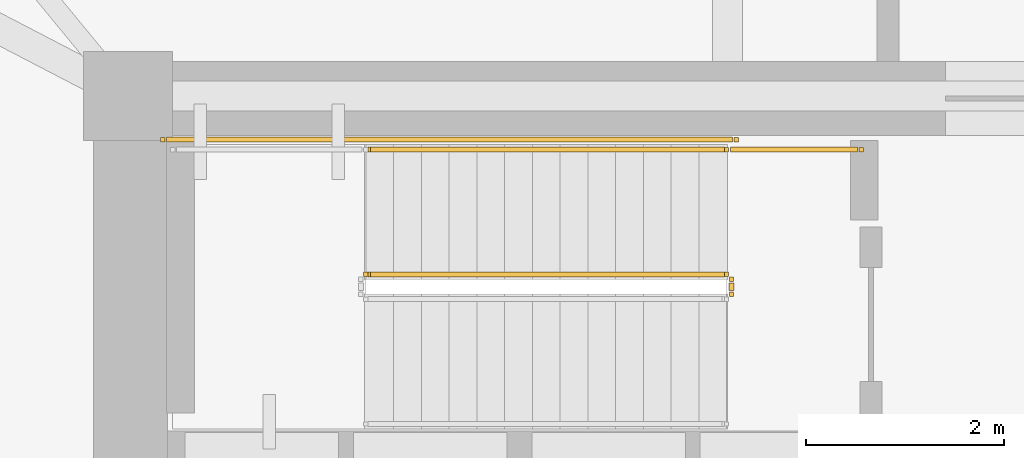
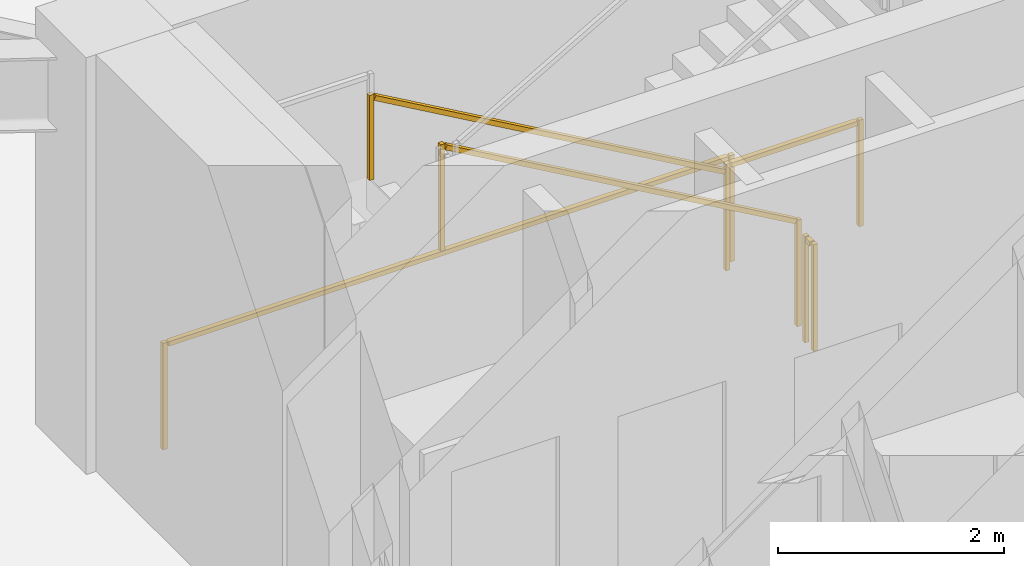
# One storey, part 16 of 18: 5 railings.
"""IFC4 building model written with IfcOpenShell, lengths in metres."""

from ifc_helpers import new_model, si_unit, direction, frame, origin, origin_2d, place, context, subcontext, project, spatial, rectangle, extrude, material, type_object, element, save


model = new_model("IFC4")

# Units and contexts
model_context = context("Model", 3, precision=1e-05, world=origin(), true_north=direction((0.0, 1.0)))
body_context = subcontext(model_context, "Body", "Model", "MODEL_VIEW")
ifc_project = project(units=[si_unit("LENGTHUNIT", "METRE"), si_unit("AREAUNIT", "SQUARE_METRE"), si_unit("VOLUMEUNIT", "CUBIC_METRE"), si_unit("PLANEANGLEUNIT", "RADIAN"), si_unit("MASSUNIT", "GRAM", prefix="KILO")], contexts=[model_context])

# Site, building, storey
site_placement = place(None, origin())
site = spatial("IfcSite", under=ifc_project, at=site_placement, CompositionType="ELEMENT")
building_placement = place(site_placement, origin())
building = spatial("IfcBuilding", under=site, at=building_placement, Name="Yunling Apex Tower", CompositionType="ELEMENT")
storey_placement = place(building_placement, origin())
storey = spatial("IfcBuildingStorey", under=building, at=storey_placement, Name="L01", CompositionType="ELEMENT", Elevation=0.0)

# Railings
ifc_material_1 = material(Name="Steel Q355B", Category="steel")
railing_type_1 = type_object("IfcRailingType", Name="RL-GRD-1150", PredefinedType="GUARDRAIL", material=ifc_material_1)
railing_1_placement = place(storey_placement, frame((-0.010009765625, 3.699951171875, 0.16064453125)))
element("IfcRailing", 1, at=railing_1_placement, inside=storey, type_object=railing_type_1, Name="L01 ST-1 stair guard 1", PredefinedType="GUARDRAIL", context=body_context, shape_type="SweptSolid", body=[
    extrude(rectangle(XDim=0.0439453125, YDim=0.0439453125, at=origin_2d()), origin(), (0.0, 0.0, 1.0), 1.14990234375),
    extrude(rectangle(XDim=0.0439453125, YDim=0.0439453125, at=origin_2d()), frame((-3.639892578125, 0.0, 2.08935546875)), (0.0, 0.0, 1.0), 1.14990234375),
    extrude(rectangle(XDim=0.050048828125, YDim=0.050048828125, at=origin_2d()), frame((-0.033203125, 0.0, 1.14404296875), z_axis=(-0.8672749571, 0.0, 0.497829437445), x_axis=(0.0, -1.0, 0.0)), (0.0, 0.0, 1.0), 4.120361328125),
])
railing_2_placement = place(storey_placement, frame((0.0400390625, 3.64990234375, 0.0)))
element("IfcRailing", 2, at=railing_2_placement, inside=storey, type_object=railing_type_1, Name="L01 ST-1 stair guard 5", PredefinedType="GUARDRAIL", context=body_context, shape_type="SweptSolid", body=[
    extrude(rectangle(XDim=0.0439453125, YDim=0.0439453125, at=origin_2d()), origin(), (0.0, 0.0, 1.0), 1.14990234375),
    extrude(rectangle(XDim=0.0439453125, YDim=0.0439453125, at=origin_2d()), frame((0.0, -0.14990234375, 0.0)), (0.0, 0.0, 1.0), 1.14990234375),
    extrude(rectangle(XDim=0.050048828125, YDim=0.050048828125, at=origin_2d()), frame((0.0, -0.038330078125, 1.125), z_axis=(0.0, -1.0, 0.0), x_axis=(1.0, 0.0, 0.0)), (0.0, 0.0, 1.0), 0.0732421875),
])
railing_3_placement = place(storey_placement, frame((1.35009765625, 4.9599609375, 0.0)))
element("IfcRailing", 3, at=railing_3_placement, inside=storey, type_object=railing_type_1, Name="L01 ST-1 stair guard 6", PredefinedType="GUARDRAIL", context=body_context, shape_type="SweptSolid", body=[
    extrude(rectangle(XDim=0.0439453125, YDim=0.0439453125, at=origin_2d()), origin(), (0.0, 0.0, 1.0), 1.14990234375),
    extrude(rectangle(XDim=0.0439453125, YDim=0.0439453125, at=origin_2d()), frame((-1.360107421875, 0.0, 0.0)), (0.0, 0.0, 1.0), 1.14990234375),
    extrude(rectangle(XDim=0.050048828125, YDim=0.050048828125, at=origin_2d()), frame((-0.038330078125, 0.0, 1.125), z_axis=(-1.0, 0.0, 0.0), x_axis=(0.0, -1.0, 0.0)), (0.0, 0.0, 1.0), 1.283447265625),
])
railing_4_placement = place(storey_placement, frame((0.090087890625, 5.06005859375, 0.0)))
element("IfcRailing", 4, at=railing_4_placement, inside=storey, type_object=railing_type_1, Name="L01 ST-1 stair guard 7", PredefinedType="GUARDRAIL", context=body_context, shape_type="SweptSolid", body=[
    extrude(rectangle(XDim=0.0439453125, YDim=0.0439453125, at=origin_2d()), origin(), (0.0, 0.0, 1.0), 1.14990234375),
    extrude(rectangle(XDim=0.0439453125, YDim=0.0439453125, at=origin_2d()), frame((-5.7900390625, 0.0, 0.0)), (0.0, 0.0, 1.0), 1.14990234375),
    extrude(rectangle(XDim=0.050048828125, YDim=0.050048828125, at=origin_2d()), frame((-0.038330078125, 0.0, 1.125), z_axis=(-1.0, 0.0, 0.0), x_axis=(0.0, -1.0, 0.0)), (0.0, 0.0, 1.0), 5.71337890625),
])
ifc_material_2 = material(Name="Silver anodised aluminium", Category="aluminium")
railing_type_2 = type_object("IfcRailingType", Name="RL-HND-900", PredefinedType="HANDRAIL", material=ifc_material_2)
railing_5_placement = place(storey_placement, frame((-0.010009765625, 4.9599609375, 0.16064453125)))
element("IfcRailing", 5, at=railing_5_placement, inside=storey, type_object=railing_type_2, Name="L01 ST-1 stair handrail 1", PredefinedType="HANDRAIL", context=body_context, shape_type="SweptSolid", body=[
    extrude(rectangle(XDim=0.0439453125, YDim=0.0439453125, at=origin_2d()), origin(), (0.0, 0.0, 1.0), 0.919921875),
    extrude(rectangle(XDim=0.0439453125, YDim=0.0439453125, at=origin_2d()), frame((-3.639892578125, 0.0, 2.08935546875)), (0.0, 0.0, 1.0), 0.919921875),
    extrude(rectangle(XDim=0.050048828125, YDim=0.050048828125, at=origin_2d()), frame((-0.033203125, 0.0, 0.9140625), z_axis=(-0.8672749571, 0.0, 0.497829437445), x_axis=(0.0, -1.0, 0.0)), (0.0, 0.0, 1.0), 4.120361328125),
])

save(model, "model.ifc")
